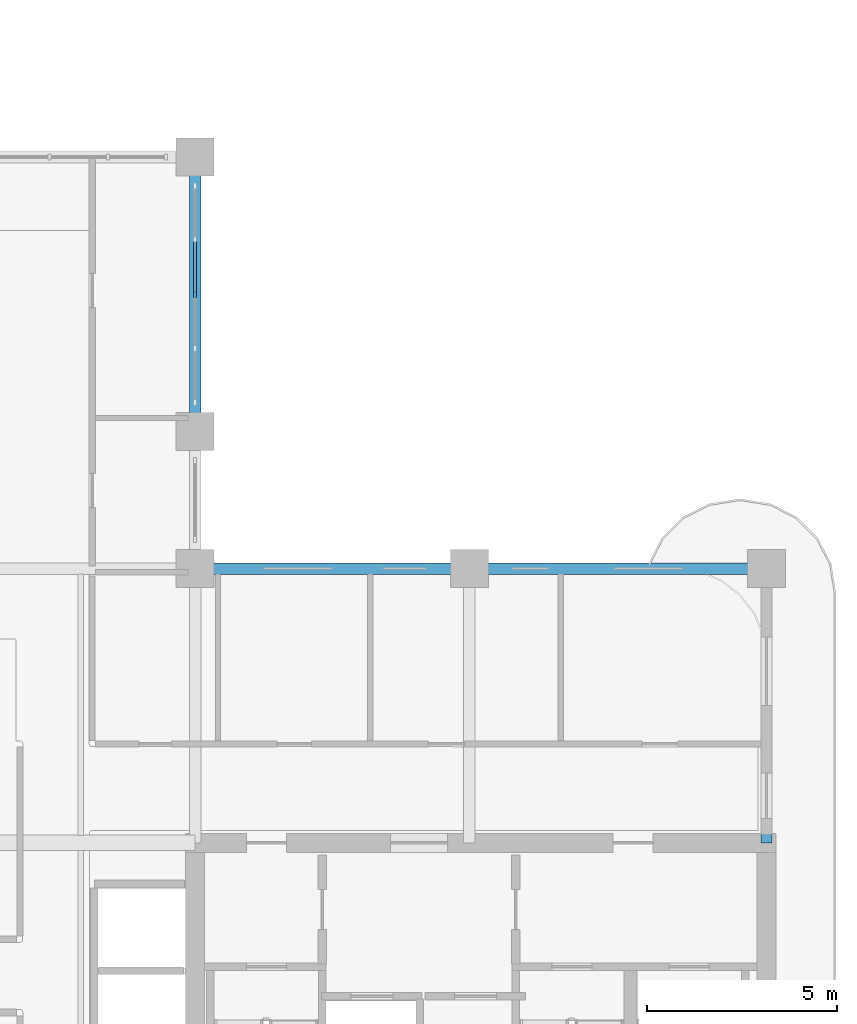
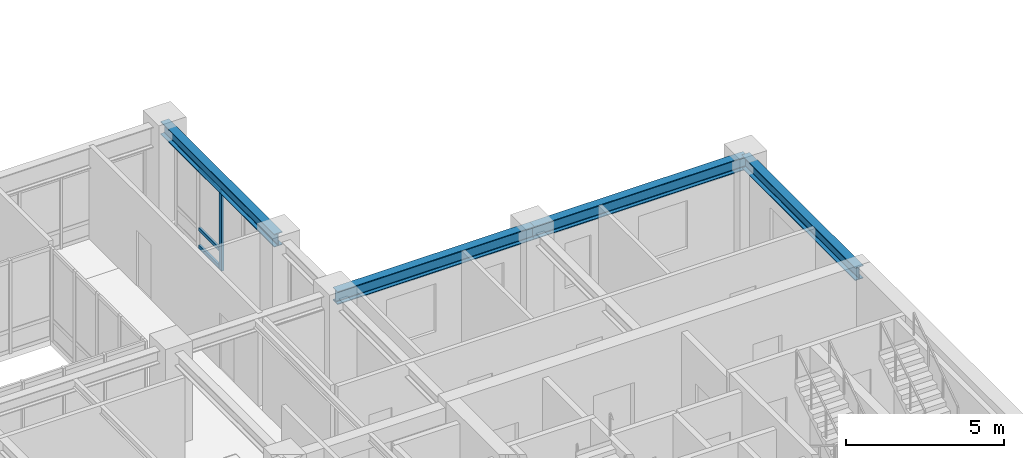
# One storey, part 4 of 19: 4 beams, 4 members, 1 element without a shape of its own.
"""IFC4 building model written with IfcOpenShell, lengths in metres."""

import ifcopenshell
import ifcopenshell.guid

model = None  # the IFC model being written
_history = None  # IfcOwnerHistory: only IFC2X3 demands one
_inside = {}  # id of a spatial element -> (the spatial element, [elements in it])
_under = {}  # id of a project, library or spatial element -> (it, [spatial elements below it])
_declared = {}  # id of a project -> (the project, [libraries it declares])
_typed = {}  # id of a type object -> (the type object, [elements of that type])
_made_of = {}  # id of a material, layer set ... -> (it, [elements and type objects made of it])


def new_model(schema):
    """Start an empty IFC model of exactly this schema.

    Asked for "IFC4X3", IfcOpenShell would pick the latest addendum, in which some entities
    have other attributes; the version numbers below select the first issue.
    IFC2X3 requires an IfcOwnerHistory on every rooted entity: one is made here for all.
    """
    global model, _history
    if schema == "IFC4X3":
        model = ifcopenshell.file(schema_version=(4, 3, 0, 0))
    else:
        model = ifcopenshell.file(schema=schema)
    _inside.clear()
    _under.clear()
    _declared.clear()
    _typed.clear()
    _made_of.clear()
    _history = None
    if model.schema == "IFC2X3":
        org = make("IfcOrganization", Name="unknown")
        user = make(
            "IfcPersonAndOrganization",
            ThePerson=make("IfcPerson", FamilyName="unknown"),
            TheOrganization=org,
        )
        app = make(
            "IfcApplication",
            ApplicationDeveloper=org,
            Version="unknown",
            ApplicationFullName="unknown",
            ApplicationIdentifier="unknown",
        )
        _history = make(
            "IfcOwnerHistory",
            OwningUser=user,
            OwningApplication=app,
            ChangeAction="ADDED",
            CreationDate=0,
        )
    return model


def make(cls, **values):
    """One entity of the class cls with the attributes given. An attribute that is None is left unset."""
    return model.create_entity(
        cls, **{name: value for name, value in values.items() if value is not None}
    )


def rooted(cls, **values):
    """An entity with a GlobalId (a new one), such as an element, a storey or a relation."""
    return make(cls, GlobalId=ifcopenshell.guid.new(), OwnerHistory=_history, **values)


def si_unit(unit_type, name, prefix=None):
    """IfcSIUnit, for example si_unit("LENGTHUNIT", "METRE", prefix="MILLI")."""
    return make("IfcSIUnit", UnitType=unit_type, Prefix=prefix, Name=name)


def derived_unit(unit_type, elements):
    """IfcDerivedUnit: a product of units, each with its exponent."""
    return make(
        "IfcDerivedUnit",
        Elements=[
            make("IfcDerivedUnitElement", Unit=unit, Exponent=power)
            for unit, power in elements
        ],
        UnitType=unit_type,
    )


def assignment(units):
    """IfcUnitAssignment: the units of a project."""
    return None if units is None else make("IfcUnitAssignment", Units=units)


def point(xyz):
    """IfcCartesianPoint."""
    return None if xyz is None else make("IfcCartesianPoint", Coordinates=xyz)


def direction(xyz):
    """IfcDirection."""
    return None if xyz is None else make("IfcDirection", DirectionRatios=xyz)


def frame(location, z_axis=None, x_axis=None):
    """IfcAxis2Placement3D, a coordinate frame: its origin and axes. An axis left out is left unset."""
    return make(
        "IfcAxis2Placement3D",
        Location=point(location),
        Axis=direction(z_axis),
        RefDirection=direction(x_axis),
    )


def frame_2d(location, x_axis=None):
    """IfcAxis2Placement2D, a coordinate frame in the plane: its origin and x axis."""
    return make(
        "IfcAxis2Placement2D", Location=point(location), RefDirection=direction(x_axis)
    )


def origin():
    """The frame at (0, 0, 0) with its axes left unset."""
    return frame((0.0, 0.0, 0.0))


def origin_2d():
    """The frame at (0, 0) in the plane with its x axis left unset."""
    return frame_2d((0.0, 0.0))


def place(relative_to, where):
    """IfcLocalPlacement: puts the frame where relative to a parent placement (None: the world)."""
    return make(
        "IfcLocalPlacement", PlacementRelTo=relative_to, RelativePlacement=where
    )


def context(
    kind, dimensions, precision=None, world=None, true_north=None, identifier=None
):
    """IfcGeometricRepresentationContext, for example the 3D "Model" context."""
    return make(
        "IfcGeometricRepresentationContext",
        ContextIdentifier=identifier,
        ContextType=kind,
        CoordinateSpaceDimension=dimensions,
        Precision=precision,
        WorldCoordinateSystem=world,
        TrueNorth=true_north,
    )


def subcontext(parent, identifier, kind, view, scale=None):
    """IfcGeometricRepresentationSubContext, for example "Body" below "Model"."""
    return make(
        "IfcGeometricRepresentationSubContext",
        ContextIdentifier=identifier,
        ContextType=kind,
        ParentContext=parent,
        TargetScale=scale,
        TargetView=view,
    )


def project(units=None, contexts=None):
    """IfcProject with its units and contexts."""
    return rooted(
        "IfcProject",
        Name="project",
        RepresentationContexts=contexts,
        UnitsInContext=assignment(units),
    )


def spatial(cls, under=None, at=None, **own):
    """A site, building, storey or space (cls), placed at a placement, below another one or the project."""
    s = rooted(cls, ObjectPlacement=at, **own)
    if under is not None:
        _under.setdefault(under.id(), (under, []))[1].append(s)
    return s


def profile(cls, at=None, kind="AREA", **sizes):
    """A parametric profile (cls). Its sizes go by their IFC names, for example OverallWidth=200.0."""
    return make(cls, ProfileType=kind, Position=at, **sizes)


def rectangle(**sizes):
    """IfcRectangleProfileDef."""
    return profile("IfcRectangleProfileDef", **sizes)


def i_section(**sizes):
    """IfcIShapeProfileDef."""
    return profile("IfcIShapeProfileDef", **sizes)


def extrude(swept, where, along, depth):
    """IfcExtrudedAreaSolid: the profile swept, set in the frame where, extruded along a direction by depth."""
    return make(
        "IfcExtrudedAreaSolid",
        SweptArea=swept,
        Position=where,
        ExtrudedDirection=direction(along),
        Depth=depth,
    )


def shape(context_of_items, identifier, shape_type, items):
    """IfcShapeRepresentation: the items that make up one representation, for example the "Body"."""
    return make(
        "IfcShapeRepresentation",
        ContextOfItems=context_of_items,
        RepresentationIdentifier=identifier,
        RepresentationType=shape_type,
        Items=items,
    )


def source(mapping_origin, context_of_items, identifier, shape_type, items):
    """IfcRepresentationMap: a shape defined once, which mapped items show again and again."""
    return make(
        "IfcRepresentationMap",
        MappingOrigin=mapping_origin,
        MappedRepresentation=shape(context_of_items, identifier, shape_type, items),
    )


def transform(
    local_origin,
    x_axis=None,
    y_axis=None,
    z_axis=None,
    scale=None,
    scale2=None,
    scale3=None,
    uniform=True,
):
    """IfcCartesianTransformationOperator3D, or its non-uniform kind. x_axis, y_axis, z_axis: its Axis1, 2, 3."""
    if uniform:
        return make(
            "IfcCartesianTransformationOperator3D",
            Axis1=direction(x_axis),
            Axis2=direction(y_axis),
            LocalOrigin=point(local_origin),
            Scale=scale,
            Axis3=direction(z_axis),
        )
    return make(
        "IfcCartesianTransformationOperator3DnonUniform",
        Axis1=direction(x_axis),
        Axis2=direction(y_axis),
        LocalOrigin=point(local_origin),
        Scale=scale,
        Axis3=direction(z_axis),
        Scale2=scale2,
        Scale3=scale3,
    )


def mapped(mapping_source, mapping_target):
    """IfcMappedItem: shows the shape of a source again, moved by a transform."""
    return make(
        "IfcMappedItem", MappingSource=mapping_source, MappingTarget=mapping_target
    )


def material(Name=None, Category=None):
    """IfcMaterial."""
    return make("IfcMaterial", Name=Name, Category=Category)


def layer(
    of_material, thickness, ventilated=None, Name=None, Category=None, Priority=None
):
    """IfcMaterialLayer: one layer of a wall or slab, of a material (None: an air gap)."""
    return make(
        "IfcMaterialLayer",
        Material=of_material,
        LayerThickness=thickness,
        IsVentilated=ventilated,
        Name=Name,
        Category=Category,
        Priority=Priority,
    )


def layer_set(layers, Name=None):
    """IfcMaterialLayerSet."""
    return make("IfcMaterialLayerSet", MaterialLayers=layers, LayerSetName=Name)


def material_profile(
    of_material, cross_section, Name=None, Category=None, Priority=None
):
    """IfcMaterialProfile: a cross section and its material."""
    return make(
        "IfcMaterialProfile",
        Name=Name,
        Material=of_material,
        Profile=cross_section,
        Priority=Priority,
        Category=Category,
    )


def profile_set(profiles, Name=None, composite=None):
    """IfcMaterialProfileSet."""
    return make(
        "IfcMaterialProfileSet",
        Name=Name,
        MaterialProfiles=profiles,
        CompositeProfile=composite,
    )


def made_of(thing, what):
    """Note that an element or type object is made of a material, layer set ...; save() writes the relation."""
    if what is not None:
        _made_of.setdefault(what.id(), (what, []))[1].append(thing)
    return thing


def type_object(cls, material=None, **own):
    """A type object (cls), such as IfcWallType, which elements share."""
    return made_of(rooted(cls, **own), material)


def type_shapes(of_type, sources):
    """Give a type object the sources (RepresentationMaps) that its elements show as mapped items."""
    of_type.RepresentationMaps = sources


def element(
    cls,
    number,
    at=None,
    inside=None,
    cuts=None,
    type_object=None,
    material=None,
    context=None,
    identifier="Body",
    shape_type=None,
    held_by="IfcProductDefinitionShape",
    body=None,
    shapes=None,
    **own,
):
    """One element of the class cls, such as IfcWall. Its Tag is "e" and its number.

    at: its placement. inside: the storey or other place that contains it. cuts: it is an
    opening in that element (IfcRelVoidsElement). A single representation is given by context,
    identifier, shape_type and body (its items); several are given by shapes. held_by: the class
    of the entity that holds the representations. save() writes the other relations.
    """
    e = rooted(cls, Tag="e%d" % number, ObjectPlacement=at, **own)
    if body is not None:
        shapes = [shape(context, identifier, shape_type, body)]
    if shapes is not None:
        e.Representation = make(held_by, Representations=shapes)
    if inside is not None:
        _inside.setdefault(inside.id(), (inside, []))[1].append(e)
    if cuts is not None:
        rooted(
            "IfcRelVoidsElement", RelatingBuildingElement=cuts, RelatedOpeningElement=e
        )
    if type_object is not None:
        _typed.setdefault(type_object.id(), (type_object, []))[1].append(e)
    return made_of(e, material)


def aggregate(whole, parts):
    """IfcRelAggregates: a whole, such as a stair, and the parts it consists of."""
    return rooted("IfcRelAggregates", RelatingObject=whole, RelatedObjects=parts)


def save(model, path):
    """Write the relations noted so far, then the file.

    IfcRelAggregates (storeys below a building ...), IfcRelContainedInSpatialStructure (elements
    in a storey), IfcRelDefinesByType, IfcRelAssociatesMaterial and IfcRelDeclares: one each for
    every whole, place, type object, material and project.
    """
    for whole, parts in _under.values():
        aggregate(whole, parts)
    for where, things in _inside.values():
        rooted(
            "IfcRelContainedInSpatialStructure",
            RelatedElements=things,
            RelatingStructure=where,
        )
    for kind, things in _typed.values():
        rooted("IfcRelDefinesByType", RelatedObjects=things, RelatingType=kind)
    for what, things in _made_of.values():
        rooted("IfcRelAssociatesMaterial", RelatedObjects=things, RelatingMaterial=what)
    for by, libraries in _declared.values():
        rooted("IfcRelDeclares", RelatingContext=by, RelatedDefinitions=libraries)
    model.write(path)


model = new_model("IFC4")

# Units and contexts
model_context = context("Model", 3, precision=1e-05, world=origin(), true_north=direction((0.0, 1.0)))
body_context = subcontext(model_context, "Body", "Model", "MODEL_VIEW")
ifc_project = project(units=[si_unit("LENGTHUNIT", "METRE"), si_unit("AREAUNIT", "SQUARE_METRE"), si_unit("VOLUMEUNIT", "CUBIC_METRE"), si_unit("PLANEANGLEUNIT", "RADIAN"), si_unit("MASSUNIT", "GRAM", prefix="KILO"), si_unit("THERMODYNAMICTEMPERATUREUNIT", "KELVIN"), si_unit("POWERUNIT", "WATT"), derived_unit("THERMALTRANSMITTANCEUNIT", [(si_unit("POWERUNIT", "WATT"), 1), (si_unit("AREAUNIT", "SQUARE_METRE"), -1), (si_unit("THERMODYNAMICTEMPERATUREUNIT", "KELVIN"), -1)])], contexts=[model_context])

# Site, building, storey
site_placement = place(None, origin())
site = spatial("IfcSite", under=ifc_project, at=site_placement, CompositionType="ELEMENT")
building_placement = place(site_placement, origin())
building = spatial("IfcBuilding", under=site, at=building_placement, Name="Zahravan Archway Hotel and Residences", CompositionType="ELEMENT")
storey_placement = place(building_placement, frame((0.0, 0.0, 158.0)))
storey = spatial("IfcBuildingStorey", under=building, at=storey_placement, Name="L39", CompositionType="ELEMENT", Elevation=158.0)

# Beams
ifc_material_1 = material(Name="Structural Steel S355JR", Category="steel")
ifc_material_profile_1 = material_profile(ifc_material_1, i_section(OverallWidth=0.300048828125, OverallDepth=0.5, WebThickness=0.014404296875, FlangeThickness=0.028076171875, FilletRadius=0.027099609375, at=origin_2d()), Name="HEB 500", Category="steel")
ifc_profile_set_1 = profile_set([ifc_material_profile_1], Name="Structural Steel S355JR")
beam_type = type_object("IfcBeamType", Name="BM-PRI-HEB500", PredefinedType="BEAM", material=ifc_profile_set_1)
shared_shape_1 = source(origin(), body_context, "Body", "SweptSolid", [
    extrude(i_section(OverallWidth=0.300048828125, OverallDepth=0.5, WebThickness=0.014404296875, FlangeThickness=0.028076171875, FilletRadius=0.027099609375, at=origin_2d()), origin(), (0.0, 0.0, 1.0), 7.2001953125),
])
type_shapes(beam_type, [shared_shape_1])
beam_1_placement = place(storey_placement, frame((49.800048828125, 14.39990234375, 3.35009765625), z_axis=(0.0, 1.0, 0.0), x_axis=(-1.0, 0.0, 0.0)))
element("IfcBeam", 1, at=beam_1_placement, inside=storey, type_object=beam_type, Name="L39 Primary Girder NS-45", PredefinedType="BEAM", context=body_context, shape_type="MappedRepresentation", body=[
    mapped(shared_shape_1, transform((0.0, 0.0, 0.0), scale=1.0)),
])
shared_shape_2 = source(origin(), body_context, "Body", "SweptSolid", [
    extrude(i_section(OverallWidth=0.300048828125, OverallDepth=0.5, WebThickness=0.014404296875, FlangeThickness=0.028076171875, FilletRadius=0.027099609375, at=origin_2d()), origin(), (0.0, 0.0, 1.0), 7.199951171875),
])
for number, where, z_axis, x_axis, name in (
    (2, (34.800048828125, 21.60009765625, 3.35009765625), (1.0, 0.0, 0.0), (0.0, 1.0, 0.0), "L39 Primary Girder EW-14"),
    (3, (34.800048828125, 25.199951171875, 3.35009765625), (0.0, 1.0, 0.0), (-1.0, 0.0, 0.0), "L39 Primary Girder NS-43"),
):
    element("IfcBeam", number, at=place(storey_placement, frame(where, z_axis=z_axis, x_axis=x_axis)), inside=storey, type_object=beam_type, Name=name, PredefinedType="BEAM", context=body_context, shape_type="MappedRepresentation", body=[
        mapped(shared_shape_2, transform((0.0, 0.0, 0.0), scale=1.0)),
    ])
shared_shape_3 = source(origin(), body_context, "Body", "SweptSolid", [
    extrude(i_section(OverallWidth=0.300048828125, OverallDepth=0.5, WebThickness=0.014404296875, FlangeThickness=0.028076171875, FilletRadius=0.027099609375, at=origin_2d()), origin(), (0.0, 0.0, 1.0), 7.800048828125),
])
beam_2_placement = place(storey_placement, frame((42.0, 21.60009765625, 3.35009765625), z_axis=(1.0, 0.0, 0.0), x_axis=(0.0, 1.0, 0.0)))
element("IfcBeam", 4, at=beam_2_placement, inside=storey, type_object=beam_type, Name="L39 Primary Girder EW-15", PredefinedType="BEAM", context=body_context, shape_type="MappedRepresentation", body=[
    mapped(shared_shape_3, transform((0.0, 0.0, 0.0), scale=1.0)),
])

# Curtain wall, members
ifc_material_2 = material(Name="Bronze-Anodized Unitised Aluminium & Low-E Glass", Category="aluminium")
ifc_layer = layer(ifc_material_2, 0.179931640625, Name="Bronze-Anodized Unitised Aluminium & Low-E Glass", Category="aluminium")
ifc_layer_set = layer_set([ifc_layer], Name="Bronze-Anodized Unitised Aluminium & Low-E Glass")
curtain_wall_type = type_object("IfcCurtainWallType", Name="CW-ATR-GLAZ", PredefinedType="NOTDEFINED", material=ifc_layer_set)
curtain_wall_placement = place(storey_placement, origin())
curtain_wall = element("IfcCurtainWall", 5, at=curtain_wall_placement, inside=storey, type_object=curtain_wall_type, Name="L39 Curtain Wall CW-L39-HNG-E-2", PredefinedType="NOTDEFINED")
ifc_material_3 = material(Name="Bronze-Anodized Extruded Aluminium", Category="aluminium")
ifc_material_profile_2 = material_profile(ifc_material_3, rectangle(XDim=0.080078125, YDim=0.139892578125, at=origin_2d()), Name="TRN 80x140", Category="aluminium")
ifc_profile_set_2 = profile_set([ifc_material_profile_2], Name="Bronze-Anodized Extruded Aluminium")
member_type_1 = type_object("IfcMemberType", Name="CWM-TRN-140", PredefinedType="USERDEFINED", material=ifc_profile_set_2)
shared_shape_4 = source(origin(), body_context, "Body", "SweptSolid", [
    extrude(rectangle(XDim=0.080078125, YDim=0.139892578125, at=origin_2d()), origin(), (0.0, 0.0, 1.0), 1.33984375),
])
member_1_placement = place(storey_placement, frame((34.800048828125, 28.840087890625, 0.070068359375), z_axis=(0.0, 1.0, 0.0), x_axis=(-1.0, 0.0, 0.0)))
member_1 = element("IfcMember", 6, at=member_1_placement, type_object=member_type_1, Name="CW-L39-HNG-E-2 Transom 2-1", ObjectType="TRANSOM", PredefinedType="USERDEFINED", context=body_context, shape_type="MappedRepresentation", body=[
    mapped(shared_shape_4, transform((0.0, 0.0, 0.0), scale=1.0)),
])
member_2_placement = place(storey_placement, frame((34.800048828125, 28.840087890625, 0.740478515625), z_axis=(0.0, 1.0, 0.0), x_axis=(-1.0, 0.0, 0.0)))
member_2 = element("IfcMember", 7, at=member_2_placement, type_object=member_type_1, Name="CW-L39-HNG-E-2 Transom 2-2", ObjectType="TRANSOM", PredefinedType="USERDEFINED", context=body_context, shape_type="MappedRepresentation", body=[
    mapped(shared_shape_4, transform((0.0, 0.0, 0.0), scale=1.0)),
])
member_3_placement = place(storey_placement, frame((34.800048828125, 28.840087890625, 3.014892578125), z_axis=(0.0, 1.0, 0.0), x_axis=(-1.0, 0.0, 0.0)))
member_3 = element("IfcMember", 8, at=member_3_placement, type_object=member_type_1, Name="CW-L39-HNG-E-2 Transom 2-3", ObjectType="TRANSOM", PredefinedType="USERDEFINED", context=body_context, shape_type="MappedRepresentation", body=[
    mapped(shared_shape_4, transform((0.0, 0.0, 0.0), scale=1.0)),
])
ifc_material_profile_3 = material_profile(ifc_material_3, rectangle(XDim=0.080078125, YDim=0.159912109375, at=origin_2d()), Name="MUL 80x160", Category="aluminium")
ifc_profile_set_3 = profile_set([ifc_material_profile_3], Name="Bronze-Anodized Extruded Aluminium")
member_type_2 = type_object("IfcMemberType", Name="CWM-MUL-160", PredefinedType="MULLION", material=ifc_profile_set_3)
shared_shape_5 = source(origin(), body_context, "Body", "SweptSolid", [
    extrude(rectangle(XDim=0.080078125, YDim=0.159912109375, at=origin_2d()), origin(), (0.0, 0.0, 1.0), 3.0849609375),
])
member_4_placement = place(storey_placement, frame((34.800048828125, 28.800048828125, 0.0), z_axis=(0.0, 0.0, 1.0), x_axis=(1.0, 0.0, 0.0)))
member_4 = element("IfcMember", 9, at=member_4_placement, type_object=member_type_2, Name="CW-L39-HNG-E-2 Mullion 2", PredefinedType="MULLION", context=body_context, shape_type="MappedRepresentation", body=[
    mapped(shared_shape_5, transform((0.0, 0.0, 0.0), scale=1.0)),
])
aggregate(curtain_wall, [member_4, member_1, member_2, member_3])

save(model, "model.ifc")
